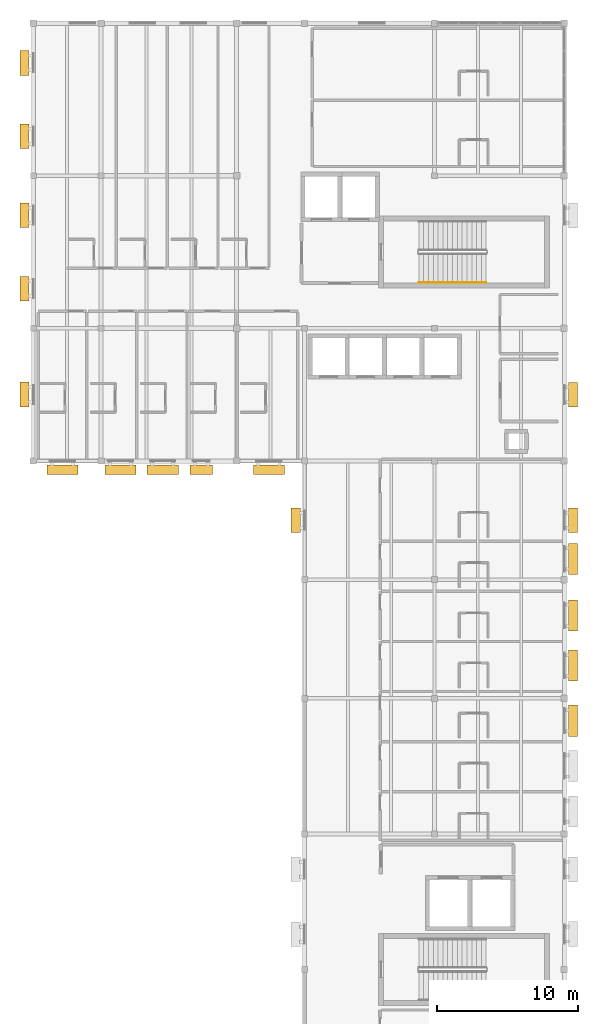
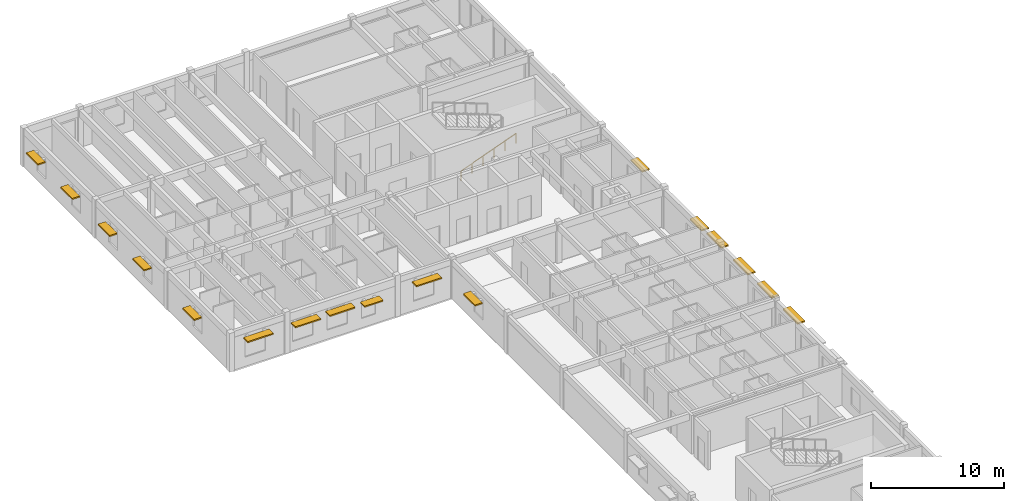
# One storey, part 13 of 14: 17 shading devices, 1 railing.
"""IFC4 building model written with IfcOpenShell, lengths in metres."""

from ifc_helpers import new_model, si_unit, direction, frame, origin, origin_2d, place, context, subcontext, project, spatial, rectangle, circle, extrude, material, type_object, element, save


model = new_model("IFC4")

# Units and contexts
model_context = context("Model", 3, precision=1e-05, world=origin(), true_north=direction((0.0, 1.0)))
body_context = subcontext(model_context, "Body", "Model", "MODEL_VIEW")
ifc_project = project(units=[si_unit("LENGTHUNIT", "METRE"), si_unit("AREAUNIT", "SQUARE_METRE"), si_unit("VOLUMEUNIT", "CUBIC_METRE"), si_unit("PLANEANGLEUNIT", "RADIAN"), si_unit("MASSUNIT", "GRAM", prefix="KILO")], contexts=[model_context])

# Site, building, storey
site_placement = place(None, origin())
site = spatial("IfcSite", under=ifc_project, at=site_placement, CompositionType="ELEMENT")
building_placement = place(site_placement, origin())
building = spatial("IfcBuilding", under=site, at=building_placement, Name="Veldera Park Congress Hotel", CompositionType="ELEMENT")
storey_placement = place(building_placement, frame((0.0, 0.0, 42.800048828125)))
storey = spatial("IfcBuildingStorey", under=building, at=storey_placement, Name="L10", CompositionType="ELEMENT", Elevation=42.800048828125)

# Railing
ifc_material_1 = material(Name="Steel ASTM A992 Gr.50", Category="steel")
railing_type = type_object("IfcRailingType", Name="HRL-920", PredefinedType="HANDRAIL", material=ifc_material_1)
railing_placement = place(storey_placement, frame((73.699951171875, 39.64990234375, 0.126708984375)))
element("IfcRailing", 1, at=railing_placement, inside=storey, type_object=railing_type, Name="L10 ST1 stair handrail 1", PredefinedType="HANDRAIL", context=body_context, shape_type="SweptSolid", body=[
    extrude(circle(Radius=0.02392578125, at=origin_2d()), frame((0.0, 0.0, 0.89599609375), z_axis=(0.937091363699, 0.0, 0.349084196263), x_axis=(0.0, 1.0, 0.0)), (0.0, 0.0, 1.0), 5.07958984375),
    extrude(circle(Radius=0.02099609375, at=origin_2d()), origin(), (0.0, 0.0, 1.0), 0.871826171875),
    extrude(circle(Radius=0.02099609375, at=origin_2d()), frame((0.951904296875, 0.0, 0.354736328125)), (0.0, 0.0, 1.0), 0.871826171875),
    extrude(circle(Radius=0.02099609375, at=origin_2d()), frame((1.904052734375, 0.0, 0.709228515625)), (0.0, 0.0, 1.0), 0.871826171875),
    extrude(circle(Radius=0.02099609375, at=origin_2d()), frame((2.85595703125, 0.0, 1.06396484375)), (0.0, 0.0, 1.0), 0.871826171875),
    extrude(circle(Radius=0.02099609375, at=origin_2d()), frame((3.80810546875, 0.0, 1.41845703125)), (0.0, 0.0, 1.0), 0.871826171875),
    extrude(circle(Radius=0.02099609375, at=origin_2d()), frame((4.760009765625, 0.0, 1.773193359375)), (0.0, 0.0, 1.0), 0.871826171875),
])

# Shading devices
ifc_material_2 = material(Name="Glulam GL28h (NDS 24F-V4)", Category="wood")
shading_device_type = type_object("IfcShadingDeviceType", Name="SHD-LVR300", PredefinedType="JALOUSIE", material=ifc_material_2)
for number, where, z_axis, x_axis, name in (
    (2, (84.617431640625, 22.800048828125, 2.519775390625), (0.0, 0.0, 1.0), (0.0, 1.0, 0.0), "Glulam Solar Shade 252"),
    (3, (84.617431640625, 31.699951171875, 2.519775390625), (0.0, 0.0, 1.0), (0.0, 1.0, 0.0), "Glulam Solar Shade 253"),
    (4, (45.782470703125, 55.184814453125, 2.519775390625), (0.0, 0.0, 1.0), (0.0, -1.0, 0.0), "Glulam Solar Shade 255"),
    (5, (45.782470703125, 50.000244140625, 2.519775390625), (0.0, 0.0, 1.0), (0.0, -1.0, 0.0), "Glulam Solar Shade 256"),
    (6, (45.782470703125, 44.39599609375, 2.519775390625), (0.0, 0.0, 1.0), (0.0, -1.0, 0.0), "Glulam Solar Shade 257"),
    (7, (45.782470703125, 39.2041015625, 2.519775390625), (0.0, 0.0, 1.0), (0.0, -1.0, 0.0), "Glulam Solar Shade 258"),
    (8, (45.782470703125, 31.70751953125, 2.519775390625), (0.0, 0.0, 1.0), (0.0, -1.0, 0.0), "Glulam Solar Shade 259"),
):
    element("IfcShadingDevice", number, at=place(storey_placement, frame(where, z_axis=z_axis, x_axis=x_axis)), inside=storey, type_object=shading_device_type, Name=name, PredefinedType="JALOUSIE", context=body_context, shape_type="SweptSolid", body=[
        extrude(rectangle(XDim=1.75, YDim=0.64990234375, at=origin_2d()), origin(), (0.0, 0.0, 1.0), 0.1201171875),
    ])
shading_device_1_placement = place(storey_placement, frame((58.28857421875, 26.382568359375, 2.419921875), z_axis=(0.0, 0.0, 1.0), x_axis=(1.0, 0.0, 0.0)))
element("IfcShadingDevice", 9, at=shading_device_1_placement, inside=storey, type_object=shading_device_type, Name="Glulam Solar Shade 260", PredefinedType="JALOUSIE", context=body_context, shape_type="SweptSolid", body=[
    extrude(rectangle(XDim=1.60009765625, YDim=0.64990234375, at=origin_2d()), origin(), (0.0, 0.0, 1.0), 0.1201171875),
])
shading_device_2_placement = place(storey_placement, frame((64.982421875, 22.800048828125, 2.519775390625), z_axis=(0.0, 0.0, 1.0), x_axis=(0.0, -1.0, 0.0)))
element("IfcShadingDevice", 10, at=shading_device_2_placement, inside=storey, type_object=shading_device_type, Name="Glulam Solar Shade 261", PredefinedType="JALOUSIE", context=body_context, shape_type="SweptSolid", body=[
    extrude(rectangle(XDim=1.75, YDim=0.64990234375, at=origin_2d()), origin(), (0.0, 0.0, 1.0), 0.1201171875),
])
for number, where, z_axis, x_axis, name in (
    (11, (84.617431640625, 8.613525390625, 2.719970703125), (0.0, 0.0, 1.0), (0.0, 1.0, 0.0), "Glulam Solar Shade 492"),
    (12, (84.617431640625, 12.514892578125, 2.719970703125), (0.0, 0.0, 1.0), (0.0, 1.0, 0.0), "Glulam Solar Shade 493"),
    (13, (84.617431640625, 16.06494140625, 2.719970703125), (0.0, 0.0, 1.0), (0.0, 1.0, 0.0), "Glulam Solar Shade 494"),
    (14, (84.617431640625, 20.076416015625, 2.719970703125), (0.0, 0.0, 1.0), (0.0, 1.0, 0.0), "Glulam Solar Shade 495"),
    (15, (48.465087890625, 26.382568359375, 2.719970703125), (0.0, 0.0, 1.0), (1.0, 0.0, 0.0), "Glulam Solar Shade 496"),
    (16, (52.576416015625, 26.382568359375, 2.635009765625), (0.0, 0.0, 1.0), (1.0, 0.0, 0.0), "Glulam Solar Shade 497"),
    (17, (55.56494140625, 26.382568359375, 2.635009765625), (0.0, 0.0, 1.0), (1.0, 0.0, 0.0), "Glulam Solar Shade 498"),
    (18, (63.076416015625, 26.382568359375, 2.719970703125), (0.0, 0.0, 1.0), (1.0, 0.0, 0.0), "Glulam Solar Shade 499"),
):
    element("IfcShadingDevice", number, at=place(storey_placement, frame(where, z_axis=z_axis, x_axis=x_axis)), inside=storey, type_object=shading_device_type, Name=name, PredefinedType="JALOUSIE", context=body_context, shape_type="SweptSolid", body=[
        extrude(rectangle(XDim=2.199951171875, YDim=0.64990234375, at=origin_2d()), origin(), (0.0, 0.0, 1.0), 0.1201171875),
    ])

save(model, "model.ifc")
